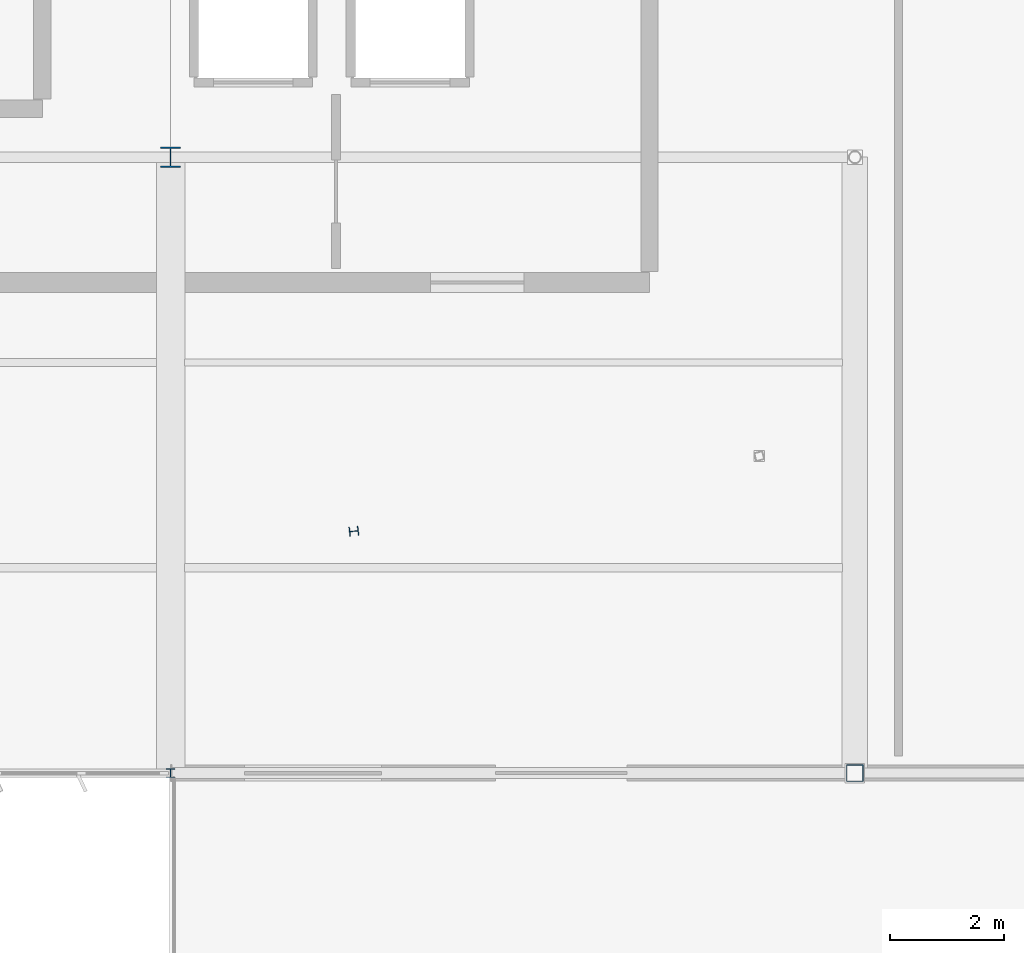
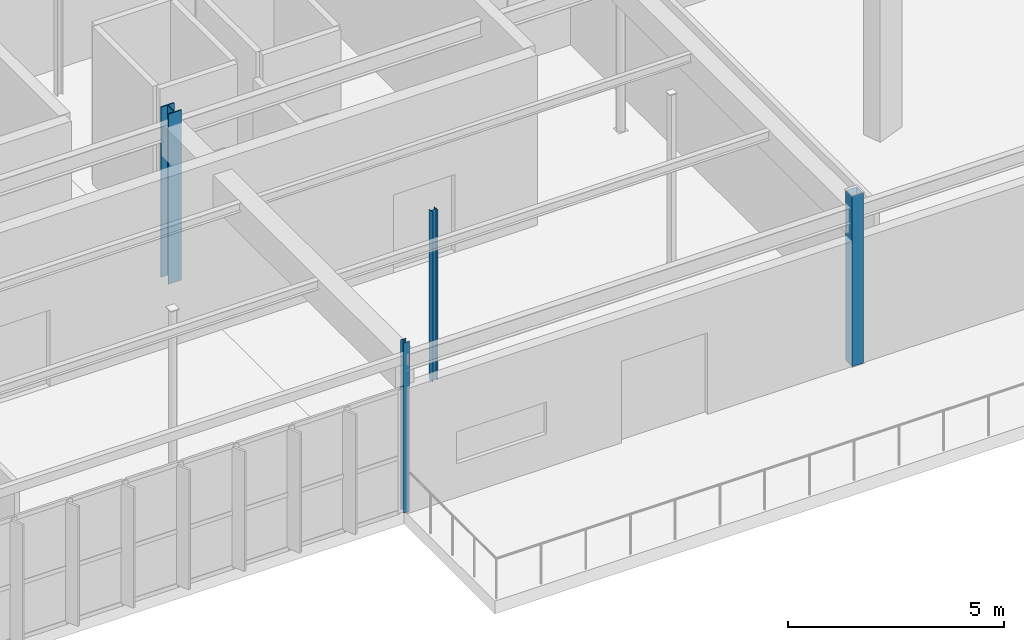
# One storey, part 13 of 199: 4 columns.
"""IFC4 building model written with IfcOpenShell, lengths in metres."""

from ifc_helpers import new_model, si_unit, direction, frame, origin, origin_2d, place, context, subcontext, project, spatial, hollow_rectangle, i_section, extrude, material, material_profile, profile_set, type_object, element, save


model = new_model("IFC4")

# Units and contexts
model_context = context("Model", 3, precision=1e-05, world=origin(), true_north=direction((0.0, 1.0)))
body_context = subcontext(model_context, "Body", "Model", "MODEL_VIEW")
ifc_project = project(units=[si_unit("LENGTHUNIT", "METRE"), si_unit("AREAUNIT", "SQUARE_METRE"), si_unit("VOLUMEUNIT", "CUBIC_METRE"), si_unit("PLANEANGLEUNIT", "RADIAN"), si_unit("MASSUNIT", "GRAM", prefix="KILO")], contexts=[model_context])

# Site, building, storey
site_placement = place(None, origin())
site = spatial("IfcSite", under=ifc_project, at=site_placement, CompositionType="ELEMENT")
building_placement = place(site_placement, origin())
building = spatial("IfcBuilding", under=site, at=building_placement, Name="Tarnwether General Hospital", CompositionType="ELEMENT")
storey_placement = place(building_placement, origin())
storey = spatial("IfcBuildingStorey", under=building, at=storey_placement, Name="L00", CompositionType="ELEMENT", Elevation=0.0)

# Columns
ifc_material_1 = material(Name="Steel Grade 350 (350 MPa)", Category="steel")
ifc_material_profile_1 = material_profile(ifc_material_1, i_section(OverallWidth=0.35009765625, OverallDepth=0.360107421875, WebThickness=0.01611328125, FlangeThickness=0.028076171875, at=origin_2d()), Name="350WC230")
ifc_profile_set_1 = profile_set([ifc_material_profile_1], Name="Steel Grade 350 (350 MPa)")
column_type_1 = type_object("IfcColumnType", Name="COL-03", PredefinedType="COLUMN", material=ifc_profile_set_1)
column_1_placement = place(storey_placement, frame((96.0, 10.800048828125, 0.0), z_axis=(0.0, 0.0, 1.0), x_axis=(1.0, 0.0, 0.0)))
element("IfcColumn", 1, at=column_1_placement, inside=storey, type_object=column_type_1, Name="Column COLG-L00-9600_1080", PredefinedType="COLUMN", context=body_context, shape_type="SweptSolid", body=[
    extrude(i_section(OverallWidth=0.35009765625, OverallDepth=0.360107421875, WebThickness=0.01611328125, FlangeThickness=0.028076171875, at=origin_2d()), origin(), (0.0, 0.0, 1.0), 4.800048828125),
])
ifc_material_2 = material(Name="Steel Grade C350L0 (350 MPa)", Category="steel")
ifc_material_profile_2 = material_profile(ifc_material_2, hollow_rectangle(XDim=0.300048828125, YDim=0.300048828125, WallThickness=0.012451171875, at=origin_2d()), Name="SHS300x300x12.5")
ifc_profile_set_2 = profile_set([ifc_material_profile_2], Name="Steel Grade C350L0 (350 MPa)")
column_type_2 = type_object("IfcColumnType", Name="COL-30", PredefinedType="COLUMN", material=ifc_profile_set_2)
column_2_placement = place(storey_placement, frame((108.0, 0.0, 0.0), z_axis=(0.0, 0.0, 1.0), x_axis=(0.0, 1.0, 0.0)))
element("IfcColumn", 2, at=column_2_placement, inside=storey, type_object=column_type_2, Name="Column COLG-L00-10800_0", PredefinedType="COLUMN", context=body_context, shape_type="SweptSolid", body=[
    extrude(hollow_rectangle(XDim=0.300048828125, YDim=0.300048828125, WallThickness=0.012451171875, at=origin_2d()), origin(), (0.0, 0.0, 1.0), 4.800048828125),
])
ifc_material_3 = material(Name="Steel Grade 350 (350 MPa)", Category="steel")
ifc_material_profile_3 = material_profile(ifc_material_3, i_section(OverallWidth=0.153076171875, OverallDepth=0.157958984375, WebThickness=0.006591796875, FlangeThickness=0.009521484375, at=origin_2d()), Name="150UC30.0")
ifc_profile_set_3 = profile_set([ifc_material_profile_3], Name="Steel Grade 350 (350 MPa)")
column_type_3 = type_object("IfcColumnType", Name="COL-31", PredefinedType="COLUMN", material=ifc_profile_set_3)
column_3_placement = place(storey_placement, frame((99.215087890625, 4.240966796875, 0.0), z_axis=(0.0, 0.0, 1.0), x_axis=(-0.121869343405, 0.992546151641, 0.0)))
element("IfcColumn", 3, at=column_3_placement, inside=storey, type_object=column_type_3, Name="Column COLG-L00-9922_424", PredefinedType="COLUMN", context=body_context, shape_type="SweptSolid", body=[
    extrude(i_section(OverallWidth=0.153076171875, OverallDepth=0.157958984375, WebThickness=0.006591796875, FlangeThickness=0.009521484375, at=origin_2d()), origin(), (0.0, 0.0, 1.0), 4.800048828125),
])
ifc_material_4 = material(Name="Steel Grade 350 (350 MPa)", Category="steel")
ifc_material_profile_4 = material_profile(ifc_material_4, i_section(OverallWidth=0.152099609375, OverallDepth=0.152099609375, WebThickness=0.006103515625, FlangeThickness=0.0068359375, at=origin_2d()), Name="150UC23.4")
ifc_profile_set_4 = profile_set([ifc_material_profile_4], Name="Steel Grade 350 (350 MPa)")
column_type_4 = type_object("IfcColumnType", Name="COL-32", PredefinedType="COLUMN", material=ifc_profile_set_4)
column_4_placement = place(storey_placement, frame((96.0, 0.0, 0.0), z_axis=(0.0, 0.0, 1.0), x_axis=(1.0, 0.0, 0.0)))
element("IfcColumn", 4, at=column_4_placement, inside=storey, type_object=column_type_4, Name="Column COLG-L00-9600_0", PredefinedType="COLUMN", context=body_context, shape_type="SweptSolid", body=[
    extrude(i_section(OverallWidth=0.152099609375, OverallDepth=0.152099609375, WebThickness=0.006103515625, FlangeThickness=0.0068359375, at=origin_2d()), origin(), (0.0, 0.0, 1.0), 4.800048828125),
])

save(model, "model.ifc")
